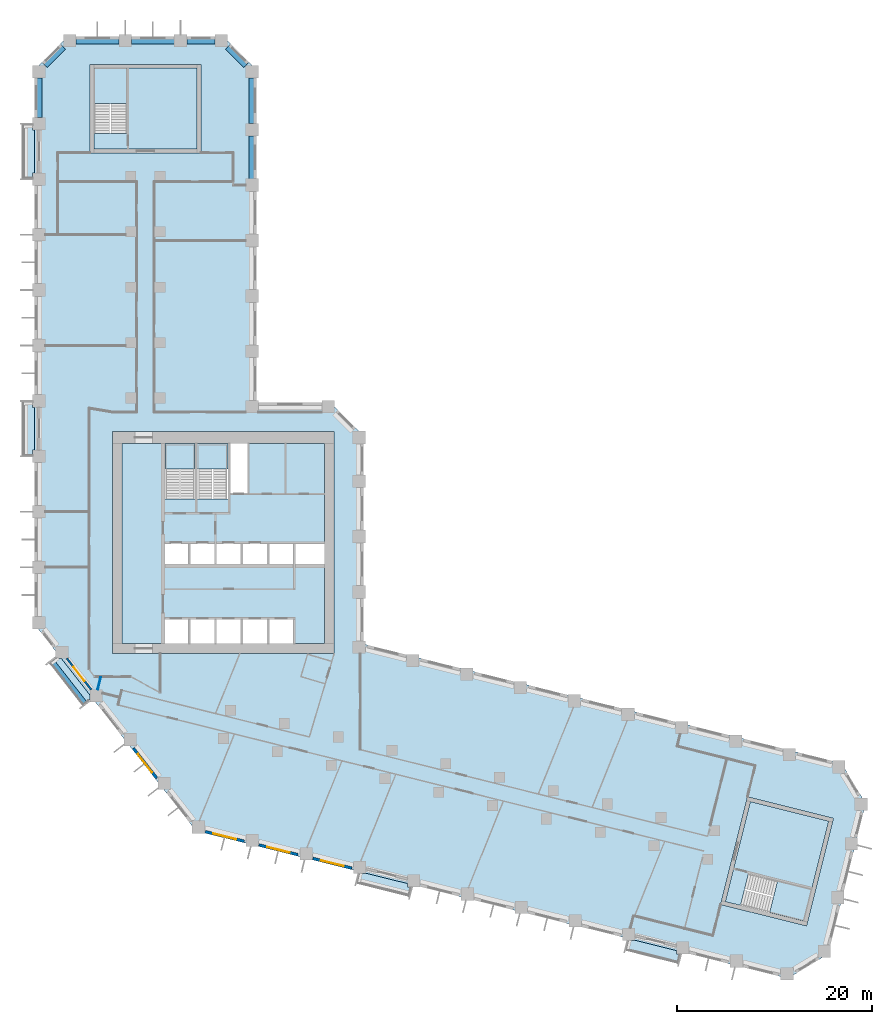
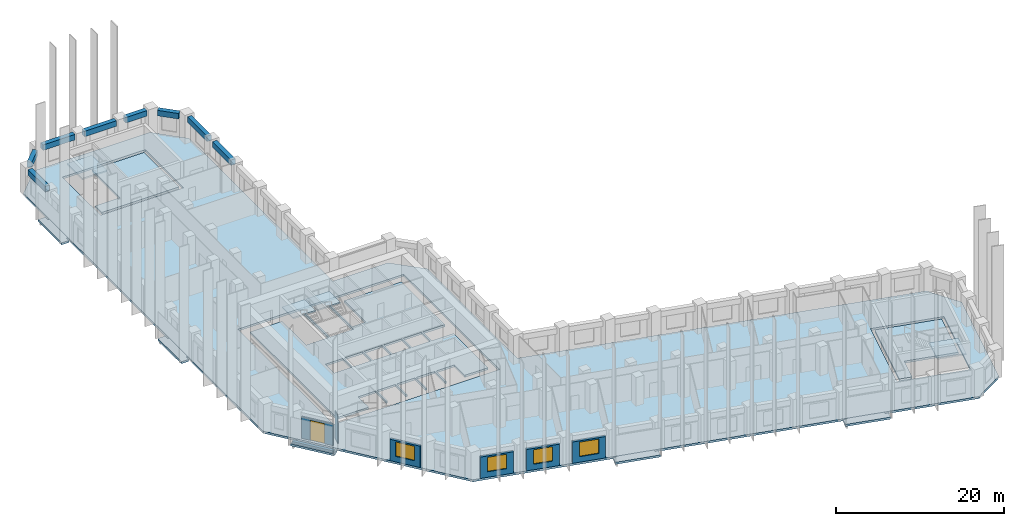
# One storey, part 2 of 10: 13 slabs, 8 beams, 7 walls, 4 windows, 1 door, 5 openings, 4 elements without a shape of their own.
"""IFC4 building model written with IfcOpenShell, lengths in metres."""

from ifc_helpers import new_model, si_unit, direction, frame, frame_2d, origin, origin_2d, place, context, subcontext, project, spatial, polyline, rectangle, outline, extrude, material, layer, layer_set, material_profile, profile_set, type_object, element, fill, aggregate, save


model = new_model("IFC4")

# Units and contexts
model_context = context("Model", 3, precision=1e-05, world=origin(), true_north=direction((0.0, 1.0)))
body_context = subcontext(model_context, "Body", "Model", "MODEL_VIEW")
ifc_project = project(units=[si_unit("LENGTHUNIT", "METRE"), si_unit("AREAUNIT", "SQUARE_METRE"), si_unit("VOLUMEUNIT", "CUBIC_METRE"), si_unit("PLANEANGLEUNIT", "RADIAN"), si_unit("MASSUNIT", "GRAM", prefix="KILO")], contexts=[model_context])

# Site, building, storey
site_placement = place(None, origin())
site = spatial("IfcSite", under=ifc_project, at=site_placement, CompositionType="ELEMENT")
building_placement = place(site_placement, origin())
building = spatial("IfcBuilding", under=site, at=building_placement, Name="Meshkara Civic Tower", CompositionType="ELEMENT")
storey_placement = place(building_placement, frame((0.0, 0.0, 130.800048828125)))
storey = spatial("IfcBuildingStorey", under=building, at=storey_placement, Name="L29", CompositionType="ELEMENT", Elevation=130.800048828125)

# Beams
ifc_material_1 = material(Name="Concrete C70", Category="concrete")
ifc_material_profile = material_profile(ifc_material_1, rectangle(XDim=0.60009765625, YDim=0.800048828125, at=origin_2d()))
ifc_profile_set = profile_set([ifc_material_profile], Name="Concrete C70")
beam_type = type_object("IfcBeamType", Name="Spandrel beam RC 600x800 C70", PredefinedType="BEAM", material=ifc_profile_set)
beam_1_placement = place(storey_placement, frame((22.35009765625, 62.89501953125, 3.5), z_axis=(0.0, 1.0, 0.0), x_axis=(-1.0, 0.0, 0.0)))
element("IfcBeam", 1, at=beam_1_placement, inside=storey, type_object=beam_type, Name="Spandrel beam AE04-AE05", PredefinedType="BEAM", context=body_context, shape_type="SweptSolid", body=[
    extrude(rectangle(XDim=0.60009765625, YDim=0.800048828125, at=origin_2d()), origin(), (0.0, 0.0, 1.0), 4.409912109375),
])
beam_2_placement = place(storey_placement, frame((22.35009765625, 68.594970703125, 3.5), z_axis=(0.0, 1.0, 0.0), x_axis=(-1.0, 0.0, 0.0)))
element("IfcBeam", 2, at=beam_2_placement, inside=storey, type_object=beam_type, Name="Spandrel beam AE05-AEEP1", PredefinedType="BEAM", context=body_context, shape_type="SweptSolid", body=[
    extrude(rectangle(XDim=0.60009765625, YDim=0.800048828125, at=origin_2d()), origin(), (0.0, 0.0, 1.0), 4.674072265625),
])
beam_3_placement = place(storey_placement, frame((21.70361328125, 74.560546875, 3.5), z_axis=(-0.707106781187, 0.707106781187, 0.0), x_axis=(-0.707106781187, -0.707106781187, 0.0)))
element("IfcBeam", 3, at=beam_3_placement, inside=storey, type_object=beam_type, Name="Spandrel beam AEEP1-ATiEP1", PredefinedType="BEAM", context=body_context, shape_type="SweptSolid", body=[
    extrude(rectangle(XDim=0.60009765625, YDim=0.800048828125, at=origin_2d()), origin(), (0.0, 0.0, 1.0), 2.634765625),
])
beam_4_placement = place(storey_placement, frame((18.549072265625, 77.070068359375, 3.5), z_axis=(-1.0, 0.0, 0.0), x_axis=(0.0, -1.0, 0.0)))
element("IfcBeam", 4, at=beam_4_placement, inside=storey, type_object=beam_type, Name="Spandrel beam AT02-P1-ATiEP1", PredefinedType="BEAM", context=body_context, shape_type="SweptSolid", body=[
    extrude(rectangle(XDim=0.60009765625, YDim=0.800048828125, at=origin_2d()), origin(), (0.0, 0.0, 1.0), 2.898193359375),
])
beam_5_placement = place(storey_placement, frame((14.361083984375, 77.070068359375, 3.5), z_axis=(-1.0, 0.0, 0.0), x_axis=(0.0, -1.0, 0.0)))
element("IfcBeam", 5, at=beam_5_placement, inside=storey, type_object=beam_type, Name="Spandrel beam AT01-P1-AT02-P1", PredefinedType="BEAM", context=body_context, shape_type="SweptSolid", body=[
    extrude(rectangle(XDim=0.60009765625, YDim=0.800048828125, at=origin_2d()), origin(), (0.0, 0.0, 1.0), 4.41015625),
])
beam_6_placement = place(storey_placement, frame((8.660888671875, 77.070068359375, 3.5), z_axis=(-1.0, 0.0, 0.0), x_axis=(0.0, -1.0, 0.0)))
element("IfcBeam", 6, at=beam_6_placement, inside=storey, type_object=beam_type, Name="Spandrel beam AT00-P1-AT01-P1", PredefinedType="BEAM", context=body_context, shape_type="SweptSolid", body=[
    extrude(rectangle(XDim=0.60009765625, YDim=0.800048828125, at=origin_2d()), origin(), (0.0, 0.0, 1.0), 4.409912109375),
])
beam_7_placement = place(storey_placement, frame((2.95947265625, 76.423583984375, 3.5), z_axis=(-0.707106781187, -0.707106781187, 0.0), x_axis=(0.707106781187, -0.707106781187, 0.0)))
element("IfcBeam", 7, at=beam_7_placement, inside=storey, type_object=beam_type, Name="Spandrel beam AT00-P1-ATo00-P1", PredefinedType="BEAM", context=body_context, shape_type="SweptSolid", body=[
    extrude(rectangle(XDim=0.60009765625, YDim=0.800048828125, at=origin_2d()), origin(), (0.0, 0.0, 1.0), 2.634765625),
])
beam_8_placement = place(storey_placement, frame((0.449951171875, 73.26904296875, 3.5), z_axis=(0.0, -1.0, 0.0), x_axis=(1.0, 0.0, 0.0)))
element("IfcBeam", 8, at=beam_8_placement, inside=storey, type_object=beam_type, Name="Spandrel beam ATo00-P1-AW09", PredefinedType="BEAM", context=body_context, shape_type="SweptSolid", body=[
    extrude(rectangle(XDim=0.60009765625, YDim=0.800048828125, at=origin_2d()), origin(), (0.0, 0.0, 1.0), 4.069091796875),
])

# Slabs
ifc_material_2 = material(Name="Concrete C40", Category="concrete")
ifc_layer_1 = layer(ifc_material_2, 0.300048828125)
ifc_layer_set_1 = layer_set([ifc_layer_1], Name="BALCONY SLAB")
slab_type_1 = type_object("IfcSlabType", Name="BALCONY SLAB", PredefinedType="FLOOR", material=ifc_layer_set_1)
slab_1_placement = place(storey_placement, frame((0.0, 0.0, -0.300048828125)))
element("IfcSlab", 9, at=slab_1_placement, inside=storey, type_object=slab_type_1, Name="Balcony slab", PredefinedType="FLOOR", context=body_context, shape_type="SweptSolid", body=[
    extrude(outline(polyline([(-1.199951171875, 62.9150390625), (-1.199951171875, 68.4951171875), (-0.199951171875, 68.4951171875), (-0.199951171875, 67.905029296875), (0.0, 67.905029296875), (0.0, 63.5048828125), (-0.199951171875, 63.5048828125), (-0.199951171875, 62.9150390625), (-1.199951171875, 62.9150390625)])), origin(), (0.0, 0.0, 1.0), 0.300048828125),
])
slab_2_placement = place(storey_placement, frame((0.0, 0.0, -0.300048828125)))
element("IfcSlab", 10, at=slab_2_placement, inside=storey, type_object=slab_type_1, Name="Balcony slab", PredefinedType="FLOOR", context=body_context, shape_type="SweptSolid", body=[
    extrude(outline(polyline([(-1.199951171875, 34.4150390625), (-1.199951171875, 39.9951171875), (-0.199951171875, 39.9951171875), (-0.199951171875, 39.405029296875), (0.0, 39.405029296875), (0.0, 35.0048828125), (-0.199951171875, 35.0048828125), (-0.199951171875, 34.4150390625), (-1.199951171875, 34.4150390625)])), origin(), (0.0, 0.0, 1.0), 0.300048828125),
])
slab_3_placement = place(storey_placement, frame((0.0, 0.0, -0.300048828125)))
element("IfcSlab", 11, at=slab_3_placement, inside=storey, type_object=slab_type_1, Name="Balcony slab", PredefinedType="FLOOR", context=body_context, shape_type="SweptSolid", body=[
    extrude(outline(polyline([(4.986083984375, 8.76904296875), (1.551025390625, 13.166015625), (2.1640625, 13.64501953125), (2.1640625, 13.5791015625), (2.7509765625, 13.5791015625), (5.673095703125, 9.839111328125), (5.673095703125, 9.304931640625), (4.986083984375, 8.76904296875)])), origin(), (0.0, 0.0, 1.0), 0.300048828125),
])
slab_4_placement = place(storey_placement, frame((0.0, 0.0, -0.300048828125)))
element("IfcSlab", 12, at=slab_4_placement, inside=storey, type_object=slab_type_1, Name="Balcony slab", PredefinedType="FLOOR", context=body_context, shape_type="SweptSolid", body=[
    extrude(outline(polyline([(38.51708984375, -10.840087890625), (33.10205078125, -9.489990234375), (33.343017578125, -8.52490234375), (34.093017578125, -8.52490234375), (34.093017578125, -8.5), (38.323974609375, -9.554931640625), (38.323974609375, -9.903076171875), (38.75, -9.903076171875), (38.51708984375, -10.840087890625)])), origin(), (0.0, 0.0, 1.0), 0.300048828125),
])
slab_5_placement = place(storey_placement, frame((0.0, 0.0, -0.300048828125)))
element("IfcSlab", 13, at=slab_5_placement, inside=storey, type_object=slab_type_1, Name="Balcony slab", PredefinedType="FLOOR", context=body_context, shape_type="SweptSolid", body=[
    extrude(outline(polyline([(66.169921875, -17.73388671875), (60.756103515625, -16.385009765625), (60.9970703125, -15.4189453125), (61.7470703125, -15.4189453125), (61.7470703125, -15.39501953125), (65.97705078125, -16.449951171875), (65.97705078125, -16.798095703125), (66.403076171875, -16.798095703125), (66.169921875, -17.73388671875)])), origin(), (0.0, 0.0, 1.0), 0.300048828125),
])
ifc_material_3 = material(Name="Concrete C40/50", Category="concrete")
ifc_layer_2 = layer(ifc_material_3, 0.300048828125)
ifc_layer_set_2 = layer_set([ifc_layer_2], Name="Core floor slab 300 C40/50")
slab_type_2 = type_object("IfcSlabType", Name="Core floor slab 300 C40/50", PredefinedType="FLOOR", material=ifc_layer_set_2)
slab_6_placement = place(storey_placement, frame((0.0, 0.0, -0.300048828125)))
element("IfcSlab", 14, at=slab_6_placement, inside=storey, type_object=slab_type_2, Name="Core floor K", PredefinedType="FLOOR", context=body_context, shape_type="SweptSolid", body=[
    extrude(outline(polyline([(9.0, 35.699951171875), (13.39990234375, 35.699951171875), (13.39990234375, 30.00146484375), (16.5, 30.00146484375), (16.5, 35.699951171875), (16.699951171875, 35.699951171875), (16.699951171875, 30.00146484375), (19.89990234375, 30.00146484375), (19.89990234375, 35.699951171875), (20.10009765625, 35.699951171875), (20.10009765625, 30.574951171875), (21.925048828125, 30.574951171875), (21.925048828125, 35.699951171875), (29.800048828125, 35.699951171875), (29.800048828125, 25.39990234375), (26.800048828125, 25.39990234375), (26.800048828125, 23.300048828125), (29.800048828125, 23.300048828125), (29.800048828125, 15.10009765625), (26.60009765625, 15.10009765625), (26.60009765625, 17.60009765625), (24.10009765625, 17.60009765625), (24.10009765625, 15.10009765625), (23.89990234375, 15.10009765625), (23.89990234375, 17.60009765625), (21.39990234375, 17.60009765625), (21.39990234375, 15.10009765625), (21.199951171875, 15.10009765625), (21.199951171875, 17.60009765625), (18.699951171875, 17.60009765625), (18.699951171875, 15.10009765625), (18.5, 15.10009765625), (18.5, 17.60009765625), (16.0, 17.60009765625), (16.0, 15.10009765625), (15.800048828125, 15.10009765625), (15.800048828125, 17.60009765625), (13.39990234375, 17.60009765625), (13.39990234375, 15.10009765625), (9.0, 15.10009765625), (9.0, 35.699951171875)]), holes=[polyline([(13.39990234375, 25.39990234375), (13.39990234375, 23.300048828125), (15.800048828125, 23.300048828125), (15.800048828125, 25.39990234375), (13.39990234375, 25.39990234375)]), polyline([(18.5, 23.300048828125), (18.5, 25.39990234375), (16.0, 25.39990234375), (16.0, 23.300048828125), (18.5, 23.300048828125)]), polyline([(18.699951171875, 25.39990234375), (18.699951171875, 23.300048828125), (21.199951171875, 23.300048828125), (21.199951171875, 25.39990234375), (18.699951171875, 25.39990234375)]), polyline([(23.89990234375, 23.300048828125), (23.89990234375, 25.39990234375), (21.39990234375, 25.39990234375), (21.39990234375, 23.300048828125), (23.89990234375, 23.300048828125)]), polyline([(26.60009765625, 23.300048828125), (26.60009765625, 25.39990234375), (24.10009765625, 25.39990234375), (24.10009765625, 23.300048828125), (26.60009765625, 23.300048828125)])]), origin(), (0.0, 0.0, 1.0), 0.300048828125),
])
slab_7_placement = place(storey_placement, frame((0.0, 0.0, -0.300048828125)))
element("IfcSlab", 15, at=slab_7_placement, inside=storey, type_object=slab_type_2, Name="Core floor EA", PredefinedType="FLOOR", context=body_context, shape_type="SweptSolid", body=[
    extrude(outline(polyline([(16.699951171875, 65.969970703125), (16.699951171875, 74.27001953125), (9.5, 74.27001953125), (9.5, 67.571533203125), (6.10009765625, 67.571533203125), (6.10009765625, 65.969970703125), (16.699951171875, 65.969970703125)])), origin(), (0.0, 0.0, 1.0), 0.300048828125),
])
slab_8_placement = place(storey_placement, frame((0.0, 0.0, -0.300048828125)))
element("IfcSlab", 16, at=slab_8_placement, inside=storey, type_object=slab_type_2, Name="Core floor EB", PredefinedType="FLOOR", context=body_context, shape_type="SweptSolid", body=[
    extrude(outline(polyline([(73.581298828125, -1.134521484375), (81.634521484375, -3.142578125), (79.892822265625, -10.128662109375), (73.393310546875, -8.508056640625), (72.57080078125, -11.80712890625), (71.016845703125, -11.419677734375), (73.581298828125, -1.134521484375)])), origin(), (0.0, 0.0, 1.0), 0.300048828125),
])

# Stair, slab
ifc_material_4 = material(Name="Precast concrete C40/50", Category="concrete")
stair_type_1 = type_object("IfcStairType", Name="Exit stair half-turn 24 risers precast", PredefinedType="HALF_TURN_STAIR", material=ifc_material_4)
stair_1_placement = place(storey_placement, origin())
stair_1 = element("IfcStair", 17, at=stair_1_placement, inside=storey, type_object=stair_type_1, Name="L29 exit stair 1", PredefinedType="HALF_TURN_STAIR")
ifc_material_5 = material(Name="Precast concrete C40/50", Category="concrete")
ifc_layer_3 = layer(ifc_material_5, 0.199951171875)
ifc_layer_set_3 = layer_set([ifc_layer_3], Name="Exit stair landing 200")
slab_type_3 = type_object("IfcSlabType", Name="Exit stair landing 200", PredefinedType="LANDING", material=ifc_layer_set_3)
slab_9_placement = place(storey_placement, frame((0.0, 0.0, 1.89990234375)))
slab_9 = element("IfcSlab", 18, at=slab_9_placement, type_object=slab_type_3, Name="ST1 landing 1", PredefinedType="LANDING", context=body_context, shape_type="SweptSolid", body=[
    extrude(outline(polyline([(16.5, 33.07861328125), (16.5, 35.699951171875), (13.39990234375, 35.699951171875), (13.39990234375, 33.07861328125), (16.5, 33.07861328125)])), origin(), (0.0, 0.0, 1.0), 0.199951171875),
])
aggregate(stair_1, [slab_9])

stair_2_placement = place(storey_placement, origin())
stair_2 = element("IfcStair", 19, at=stair_2_placement, inside=storey, type_object=stair_type_1, Name="L29 exit stair 2", PredefinedType="HALF_TURN_STAIR")
slab_10_placement = place(storey_placement, frame((0.0, 0.0, 1.89990234375)))
slab_10 = element("IfcSlab", 20, at=slab_10_placement, type_object=slab_type_3, Name="ST2 landing 1", PredefinedType="LANDING", context=body_context, shape_type="SweptSolid", body=[
    extrude(outline(polyline([(19.89990234375, 33.07861328125), (19.89990234375, 35.699951171875), (16.699951171875, 35.699951171875), (16.699951171875, 33.07861328125), (19.89990234375, 33.07861328125)])), origin(), (0.0, 0.0, 1.0), 0.199951171875),
])
aggregate(stair_2, [slab_10])

ifc_material_6 = material(Name="Precast concrete C40/50", Category="concrete")
stair_type_2 = type_object("IfcStairType", Name="Exit stair half-turn 24 risers 1600 precast", PredefinedType="HALF_TURN_STAIR", material=ifc_material_6)
stair_3_placement = place(storey_placement, origin())
stair_3 = element("IfcStair", 21, at=stair_3_placement, inside=storey, type_object=stair_type_2, Name="L29 exit stair A from L20", PredefinedType="HALF_TURN_STAIR")
slab_11_placement = place(storey_placement, frame((0.0, 0.0, 1.89990234375)))
slab_11 = element("IfcSlab", 22, at=slab_11_placement, type_object=slab_type_3, Name="ESA2 landing 1", PredefinedType="LANDING", context=body_context, shape_type="SweptSolid", body=[
    extrude(outline(polyline([(9.5, 70.6484375), (9.5, 74.27001953125), (6.10009765625, 74.27001953125), (6.10009765625, 70.6484375), (9.5, 70.6484375)])), origin(), (0.0, 0.0, 1.0), 0.199951171875),
])
aggregate(stair_3, [slab_11])

stair_4_placement = place(storey_placement, origin())
stair_4 = element("IfcStair", 23, at=stair_4_placement, inside=storey, type_object=stair_type_2, Name="L29 exit stair B from L20", PredefinedType="HALF_TURN_STAIR")
slab_12_placement = place(storey_placement, frame((0.0, 0.0, 1.89990234375)))
slab_12 = element("IfcSlab", 24, at=slab_12_placement, type_object=slab_type_3, Name="ESB2 landing 1", PredefinedType="LANDING", context=body_context, shape_type="SweptSolid", body=[
    extrude(outline(polyline([(75.5556640625, -12.55224609375), (79.06982421875, -13.428955078125), (79.89306640625, -10.12890625), (76.379150390625, -9.25244140625), (75.5556640625, -12.55224609375)])), origin(), (0.0, 0.0, 1.0), 0.199951171875),
])
aggregate(stair_4, [slab_12])

# Slab
ifc_material_7 = material(Name="Concrete C50", Category="concrete")
ifc_layer_4 = layer(ifc_material_7, 0.300048828125)
ifc_layer_set_4 = layer_set([ifc_layer_4], Name="Post-tensioned flat slab 300 C50")
slab_type_4 = type_object("IfcSlabType", Name="Post-tensioned flat slab 300 C50", PredefinedType="FLOOR", material=ifc_layer_set_4)
slab_13_placement = place(storey_placement, frame((0.0, 0.0, -0.300048828125)))
element("IfcSlab", 25, at=slab_13_placement, inside=storey, type_object=slab_type_4, Name="Post-tensioned flat slab L29", PredefinedType="FLOOR", context=body_context, shape_type="SweptSolid", body=[
    extrude(outline(polyline([(81.574951171875, -16.81396484375), (77.429931640625, -19.304931640625), (16.592041015625, -4.136962890625), (0.0, 17.10009765625), (0.0, 74.10009765625), (3.419921875, 77.52001953125), (19.3798828125, 77.52001953125), (22.800048828125, 74.10009765625), (22.800048828125, 39.89990234375), (30.3798828125, 39.89990234375), (33.800048828125, 36.47998046875), (33.800048828125, 15.071044921875), (82.945068359375, 2.81689453125), (85.43603515625, -1.327880859375), (81.574951171875, -16.81396484375)]), holes=[polyline([(79.362060546875, -13.9130859375), (82.1201171875, -2.85107421875), (73.2900390625, -0.64990234375), (70.531982421875, -11.7109375), (79.362060546875, -13.9130859375)]), polyline([(8.0, 14.10009765625), (30.800048828125, 14.10009765625), (30.800048828125, 36.89990234375), (8.0, 36.89990234375), (8.0, 14.10009765625)]), polyline([(5.699951171875, 74.669921875), (5.699951171875, 65.570068359375), (17.10009765625, 65.570068359375), (17.10009765625, 74.669921875), (5.699951171875, 74.669921875)])]), origin(), (0.0, 0.0, 1.0), 0.300048828125),
])

# Wall, opening, window
ifc_material_8 = material(Name="Insulated infill panel with bronze anodised aluminium cladding", Category="aluminium")
ifc_layer_5 = layer(ifc_material_8, 0.300048828125)
ifc_layer_set_5 = layer_set([ifc_layer_5], Name="EXTERNAL INFILL WALL 300")
wall_type_1 = type_object("IfcWallType", Name="EXTERNAL INFILL WALL 300", PredefinedType="SOLIDWALL", material=ifc_layer_set_5)
wall_1_placement = place(storey_placement, frame((10.157958984375, 4.341064453125, 0.0), z_axis=(0.0, 0.0, 1.0), x_axis=(0.615779754703, -0.787918329332, 0.0)))
wall_1 = element("IfcWall", 26, at=wall_1_placement, inside=storey, type_object=wall_type_1, Name="External wall", PredefinedType="SOLIDWALL", context=body_context, shape_type="SweptSolid", body=[
    extrude(rectangle(XDim=3.874755859375, YDim=0.300048828125, at=frame_2d((1.9375, 0.0))), origin(), (0.0, 0.0, 1.0), 3.099853515625),
])
opening_1_placement = place(wall_1_placement, frame((0.737060546875, 0.0, 0.800048828125)))
opening_1 = element("IfcOpeningElement", 27, at=opening_1_placement, cuts=wall_1, Name="Opening W7", PredefinedType="OPENING", context=body_context, shape_type="SweptSolid", body=[
    extrude(rectangle(XDim=2.39990234375, YDim=2.10009765625, at=frame_2d((1.199951171875, 1.050048828125))), frame((0.0, 0.159912109375, 0.0), z_axis=(0.0, -1.0, 0.0), x_axis=(1.0, 0.0, 0.0)), (0.0, 0.0, 1.0), 0.320068359375),
])
ifc_material_9 = material(Name="Tinted double glazing", Category="glass")
window_type = type_object("IfcWindowType", Name="WINDOW 2400x2100", PartitioningType="DOUBLE_PANEL_VERTICAL", PredefinedType="WINDOW", material=ifc_material_9)
window_1_placement = place(opening_1_placement, origin())
window_1 = element("IfcWindow", 28, at=window_1_placement, inside=storey, type_object=window_type, Name="Window", OverallHeight=2.10009765625, OverallWidth=2.39990234375, PartitioningType="DOUBLE_PANEL_VERTICAL", PredefinedType="WINDOW", context=body_context, shape_type="SweptSolid", body=[
    extrude(rectangle(XDim=2.39990234375, YDim=2.10009765625, at=frame_2d((1.199951171875, 1.050048828125))), frame((0.0, 0.030029296875, 0.0), z_axis=(0.0, -1.0, 0.0), x_axis=(1.0, 0.0, 0.0)), (0.0, 0.0, 1.0), 0.06005859375),
])
fill(opening_1, window_1)

wall_2_placement = place(storey_placement, frame((17.54296875, -4.219970703125, 0.0), z_axis=(0.0, 0.0, 1.0), x_axis=(0.970337184445, -0.241755555227, 0.0)))
wall_2 = element("IfcWall", 29, at=wall_2_placement, inside=storey, type_object=wall_type_1, Name="External wall", PredefinedType="SOLIDWALL", context=body_context, shape_type="SweptSolid", body=[
    extrude(rectangle(XDim=4.124267578125, YDim=0.300048828125, at=frame_2d((2.06201171875, 0.0))), origin(), (0.0, 0.0, 1.0), 3.099853515625),
])
opening_2_placement = place(wall_2_placement, frame((0.862060546875, 0.0, 0.800048828125)))
opening_2 = element("IfcOpeningElement", 30, at=opening_2_placement, cuts=wall_2, Name="Opening W7", PredefinedType="OPENING", context=body_context, shape_type="SweptSolid", body=[
    extrude(rectangle(XDim=2.39990234375, YDim=2.10009765625, at=frame_2d((1.199951171875, 1.050048828125))), frame((0.0, 0.159912109375, 0.0), z_axis=(0.0, -1.0, 0.0), x_axis=(1.0, 0.0, 0.0)), (0.0, 0.0, 1.0), 0.320068359375),
])
window_2_placement = place(opening_2_placement, origin())
window_2 = element("IfcWindow", 31, at=window_2_placement, inside=storey, type_object=window_type, Name="Window", OverallHeight=2.10009765625, OverallWidth=2.39990234375, PartitioningType="DOUBLE_PANEL_VERTICAL", PredefinedType="WINDOW", context=body_context, shape_type="SweptSolid", body=[
    extrude(rectangle(XDim=2.39990234375, YDim=2.10009765625, at=frame_2d((1.199951171875, 1.050048828125))), frame((0.0, 0.030029296875, 0.0), z_axis=(0.0, -1.0, 0.0), x_axis=(1.0, 0.0, 0.0)), (0.0, 0.0, 1.0), 0.06005859375),
])
fill(opening_2, window_2)

wall_3_placement = place(storey_placement, frame((23.073974609375, -5.597900390625, 0.0), z_axis=(0.0, 0.0, 1.0), x_axis=(0.970267747908, -0.242034083076, 0.0)))
wall_3 = element("IfcWall", 32, at=wall_3_placement, inside=storey, type_object=wall_type_1, Name="External wall", PredefinedType="SOLIDWALL", context=body_context, shape_type="SweptSolid", body=[
    extrude(rectangle(XDim=4.12353515625, YDim=0.300048828125, at=frame_2d((2.061767578125, 0.0))), origin(), (0.0, 0.0, 1.0), 3.099853515625),
])
opening_3_placement = place(wall_3_placement, frame((0.862060546875, 0.0, 0.800048828125)))
opening_3 = element("IfcOpeningElement", 33, at=opening_3_placement, cuts=wall_3, Name="Opening W7", PredefinedType="OPENING", context=body_context, shape_type="SweptSolid", body=[
    extrude(rectangle(XDim=2.39990234375, YDim=2.10009765625, at=frame_2d((1.199951171875, 1.050048828125))), frame((0.0, 0.159912109375, 0.0), z_axis=(0.0, -1.0, 0.0), x_axis=(1.0, 0.0, 0.0)), (0.0, 0.0, 1.0), 0.320068359375),
])
window_3_placement = place(opening_3_placement, origin())
window_3 = element("IfcWindow", 34, at=window_3_placement, inside=storey, type_object=window_type, Name="Window", OverallHeight=2.10009765625, OverallWidth=2.39990234375, PartitioningType="DOUBLE_PANEL_VERTICAL", PredefinedType="WINDOW", context=body_context, shape_type="SweptSolid", body=[
    extrude(rectangle(XDim=2.39990234375, YDim=2.10009765625, at=frame_2d((1.199951171875, 1.050048828125))), frame((0.0, 0.030029296875, 0.0), z_axis=(0.0, -1.0, 0.0), x_axis=(1.0, 0.0, 0.0)), (0.0, 0.0, 1.0), 0.06005859375),
])
fill(opening_3, window_3)

wall_4_placement = place(storey_placement, frame((28.60400390625, -6.97705078125, 0.0), z_axis=(0.0, 0.0, 1.0), x_axis=(0.970281616392, -0.241978480223, 0.0)))
wall_4 = element("IfcWall", 35, at=wall_4_placement, inside=storey, type_object=wall_type_1, Name="External wall", PredefinedType="SOLIDWALL", context=body_context, shape_type="SweptSolid", body=[
    extrude(rectangle(XDim=4.12451171875, YDim=0.300048828125, at=frame_2d((2.062255859375, 0.0))), origin(), (0.0, 0.0, 1.0), 3.099853515625),
])
opening_4_placement = place(wall_4_placement, frame((0.862060546875, 0.0, 0.800048828125)))
opening_4 = element("IfcOpeningElement", 36, at=opening_4_placement, cuts=wall_4, Name="Opening W7", PredefinedType="OPENING", context=body_context, shape_type="SweptSolid", body=[
    extrude(rectangle(XDim=2.39990234375, YDim=2.10009765625, at=frame_2d((1.199951171875, 1.050048828125))), frame((0.0, 0.159912109375, 0.0), z_axis=(0.0, -1.0, 0.0), x_axis=(1.0, 0.0, 0.0)), (0.0, 0.0, 1.0), 0.320068359375),
])
window_4_placement = place(opening_4_placement, origin())
window_4 = element("IfcWindow", 37, at=window_4_placement, inside=storey, type_object=window_type, Name="Window", OverallHeight=2.10009765625, OverallWidth=2.39990234375, PartitioningType="DOUBLE_PANEL_VERTICAL", PredefinedType="WINDOW", context=body_context, shape_type="SweptSolid", body=[
    extrude(rectangle(XDim=2.39990234375, YDim=2.10009765625, at=frame_2d((1.199951171875, 1.050048828125))), frame((0.0, 0.030029296875, 0.0), z_axis=(0.0, -1.0, 0.0), x_axis=(1.0, 0.0, 0.0)), (0.0, 0.0, 1.0), 0.06005859375),
])
fill(opening_4, window_4)

# Wall, opening, door
ifc_material_10 = material(Name="Insulated infill panel with bronze anodised aluminium cladding", Category="aluminium")
ifc_layer_6 = layer(ifc_material_10, 0.199951171875)
ifc_layer_set_6 = layer_set([ifc_layer_6], Name="LOGGIA BACK WALL 200")
wall_type_2 = type_object("IfcWallType", Name="LOGGIA BACK WALL 200", PredefinedType="SOLIDWALL", material=ifc_layer_set_6)
wall_5_placement = place(storey_placement, frame((3.322021484375, 13.5791015625, 0.0), z_axis=(0.0, 0.0, 1.0), x_axis=(0.615500153734, -0.78813676526, 0.0)))
wall_5 = element("IfcWall", 38, at=wall_5_placement, inside=storey, type_object=wall_type_2, Name="Loggia wall", PredefinedType="SOLIDWALL", context=body_context, shape_type="SweptSolid", body=[
    extrude(rectangle(XDim=4.05029296875, YDim=0.199951171875, at=frame_2d((2.025146484375, 0.0))), origin(), (0.0, 0.0, 1.0), 3.099853515625),
])
opening_5_placement = place(wall_5_placement, frame((1.125, 0.0, 0.0)))
opening_5 = element("IfcOpeningElement", 39, at=opening_5_placement, cuts=wall_5, Name="Opening L29-L003", PredefinedType="OPENING", context=body_context, shape_type="SweptSolid", body=[
    extrude(rectangle(XDim=1.800048828125, YDim=2.89990234375, at=frame_2d((0.89990234375, 1.449951171875))), frame((0.0, 0.10986328125, 0.0), z_axis=(0.0, -1.0, 0.0), x_axis=(1.0, 0.0, 0.0)), (0.0, 0.0, 1.0), 0.219970703125),
])
ifc_material_11 = material(Name="Tinted double glazing", Category="glass")
door_type = type_object("IfcDoorType", Name="LOGGIA DOOR 1800x2900", OperationType="DOUBLE_DOOR_SINGLE_SWING", PredefinedType="DOOR", material=ifc_material_11)
door_placement = place(opening_5_placement, origin())
door = element("IfcDoor", 40, at=door_placement, inside=storey, type_object=door_type, Name="L29-L003", OperationType="DOUBLE_DOOR_SINGLE_SWING", OverallHeight=2.89990234375, OverallWidth=1.800048828125, PredefinedType="DOOR", context=body_context, shape_type="SweptSolid", body=[
    extrude(rectangle(XDim=1.800048828125, YDim=2.89990234375, at=frame_2d((0.89990234375, 1.449951171875))), frame((0.0, 0.02490234375, 0.0), z_axis=(0.0, -1.0, 0.0), x_axis=(1.0, 0.0, 0.0)), (0.0, 0.0, 1.0), 0.050048828125),
])
fill(opening_5, door)

# Walls
ifc_material_12 = material(Name="Concrete C40", Category="concrete")
ifc_layer_7 = layer(ifc_material_12, 0.39990234375)
ifc_layer_set_7 = layer_set([ifc_layer_7], Name="PLANTER TRAY")
wall_type_3 = type_object("IfcWallType", Name="PLANTER TRAY", PredefinedType="SOLIDWALL", material=ifc_layer_set_7)
wall_6_placement = place(storey_placement, frame((1.87109375, 13.27587890625, 0.0), z_axis=(0.0, 0.0, 1.0), x_axis=(0.615632551218, -0.788033350741, 0.0)))
element("IfcWall", 41, at=wall_6_placement, inside=storey, type_object=wall_type_3, Name="Planter", PredefinedType="SOLIDWALL", context=body_context, shape_type="SweptSolid", body=[
    extrude(rectangle(XDim=5.360107421875, YDim=0.39990234375, at=frame_2d((2.68017578125, 0.0))), origin(), (0.0, 0.0, 1.0), 0.300048828125),
])
ifc_material_13 = material(Name="Partition 100")
ifc_layer_8 = layer(ifc_material_13, 0.10009765625)
ifc_layer_set_8 = layer_set([ifc_layer_8], Name="Partition 100")
wall_type_4 = type_object("IfcWallType", Name="Partition 100", PredefinedType="PARTITIONING", material=ifc_layer_set_8)
wall_7_placement = place(storey_placement, frame((6.797119140625, 11.637939453125, 0.0), z_axis=(0.0, 0.0, 1.0), x_axis=(-0.242000927221, -0.970276018061, 0.0)))
element("IfcWall", 42, at=wall_7_placement, inside=storey, type_object=wall_type_4, Name="L29-W035", PredefinedType="PARTITIONING", context=body_context, shape_type="SweptSolid", body=[
    extrude(rectangle(XDim=1.289306640625, YDim=0.10009765625, at=frame_2d((0.64453125, 0.0))), origin(), (0.0, 0.0, 1.0), 3.89990234375),
])

save(model, "model.ifc")
